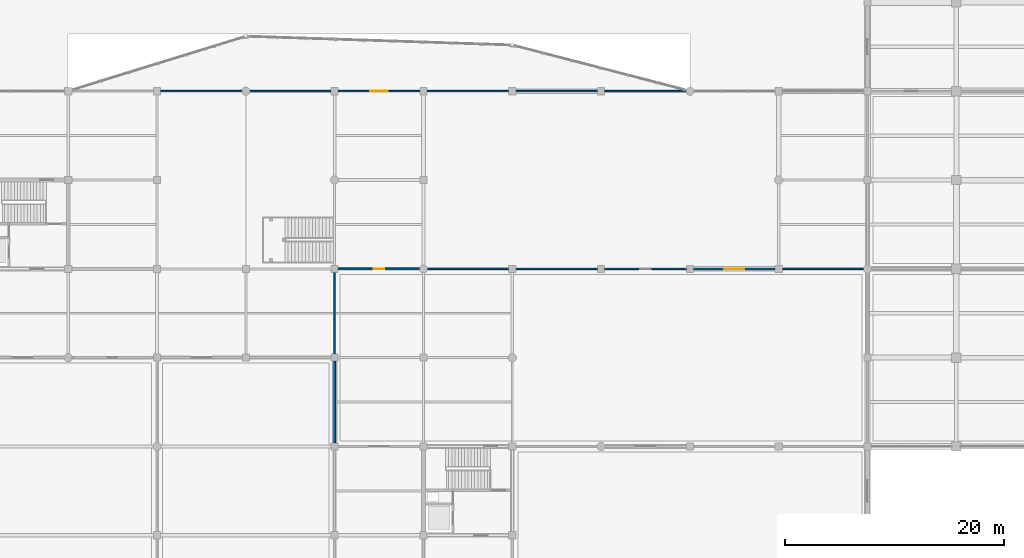
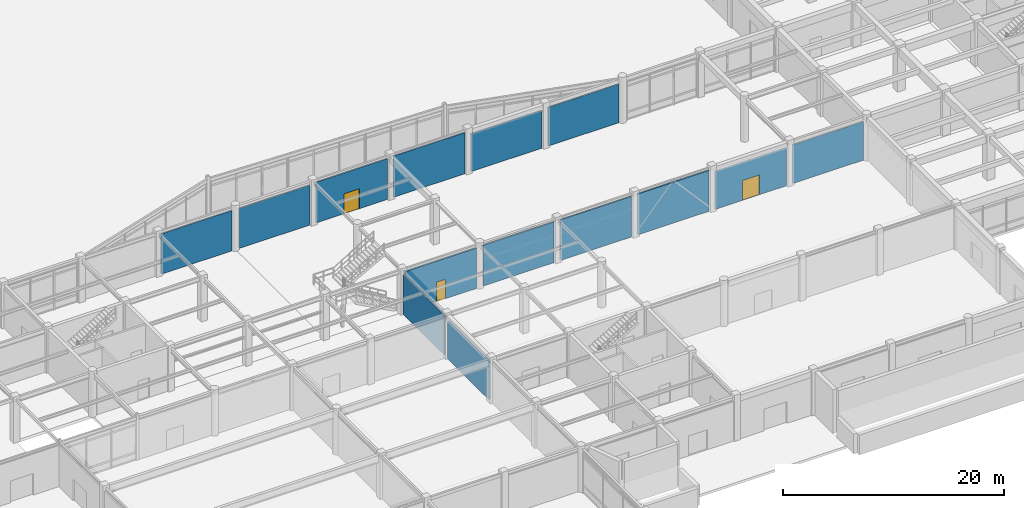
# One storey, part 64 of 99: 14 walls, 3 doors, 3 openings.
"""IFC4 building model written with IfcOpenShell, lengths in metres."""

from ifc_helpers import new_model, si_unit, direction, frame, frame_2d, origin, place, context, subcontext, project, spatial, rectangle, extrude, material, layer, layer_set, type_object, element, fill, save


model = new_model("IFC4")

# Units and contexts
model_context = context("Model", 3, precision=1e-05, world=origin(), true_north=direction((0.0, 1.0)))
body_context = subcontext(model_context, "Body", "Model", "MODEL_VIEW")
ifc_project = project(units=[si_unit("LENGTHUNIT", "METRE"), si_unit("AREAUNIT", "SQUARE_METRE"), si_unit("VOLUMEUNIT", "CUBIC_METRE"), si_unit("PLANEANGLEUNIT", "RADIAN"), si_unit("MASSUNIT", "GRAM", prefix="KILO")], contexts=[model_context])

# Site, building, storey
site_placement = place(None, origin())
site = spatial("IfcSite", under=ifc_project, at=site_placement, CompositionType="ELEMENT")
building_placement = place(site_placement, origin())
building = spatial("IfcBuilding", under=site, at=building_placement, Name="Vaudrelin Polytechnic", CompositionType="ELEMENT")
storey_placement = place(building_placement, origin())
storey = spatial("IfcBuildingStorey", under=building, at=storey_placement, Name="L00", CompositionType="ELEMENT", Elevation=0.0)

# Wall
ifc_material_1 = material(Name="Acoustic double-stud gypsum & mineral-wool partition", Category="gypsum")
ifc_layer_1 = layer(ifc_material_1, 0.179931640625)
ifc_layer_set_1 = layer_set([ifc_layer_1], Name="Acoustic double-stud gypsum & mineral-wool partition")
wall_type_1 = type_object("IfcWallType", Name="WAL-PW-AC180", PredefinedType="PARTITIONING", material=ifc_layer_set_1)
wall_1_placement = place(storey_placement, frame((81.0, 16.52294921875, 0.0), z_axis=(0.0, 0.0, 1.0), x_axis=(0.0, 1.0, 0.0)))
element("IfcWall", 1, at=wall_1_placement, inside=storey, type_object=wall_type_1, Name="Partition L00-009 E", PredefinedType="PARTITIONING", context=body_context, shape_type="SweptSolid", body=[
    extrude(rectangle(XDim=7.4541015625, YDim=0.179931640625, at=frame_2d((3.72705078125, 0.0))), origin(), (0.0, 0.0, 1.0), 4.172119140625),
])

# Wall, opening, door
wall_2_placement = place(storey_placement, frame((81.322998046875, 32.39990234375, 0.0), z_axis=(0.0, 0.0, 1.0), x_axis=(1.0, 0.0, 0.0)))
wall_2 = element("IfcWall", 2, at=wall_2_placement, inside=storey, type_object=wall_type_1, Name="Partition L00-011 N", PredefinedType="PARTITIONING", context=body_context, shape_type="SweptSolid", body=[
    extrude(rectangle(XDim=7.404052734375, YDim=0.179931640625, at=frame_2d((3.7021484375, 0.0))), origin(), (0.0, 0.0, 1.0), 4.464111328125),
])
opening_1_placement = place(wall_2_placement, frame((3.221923828125, 0.0, 0.0)))
opening_1 = element("IfcOpeningElement", 3, at=opening_1_placement, cuts=wall_2, Name="Opening D-L00-427", PredefinedType="OPENING", context=body_context, shape_type="SweptSolid", body=[
    extrude(rectangle(XDim=0.9599609375, YDim=2.14990234375, at=frame_2d((0.47998046875, 1.074951171875))), frame((0.0, 0.10009765625, 0.0), z_axis=(0.0, -1.0, 0.0), x_axis=(1.0, 0.0, 0.0)), (0.0, 0.0, 1.0), 0.199951171875),
])
ifc_material_2 = material(Name="Solid-core birch veneer acoustic leaf", Category="wood")
door_type_1 = type_object("IfcDoorType", Name="DOR-ID-OFF2", OperationType="NOTDEFINED", PredefinedType="DOOR", material=ifc_material_2)
door_1_placement = place(opening_1_placement, origin())
door_1 = element("IfcDoor", 4, at=door_1_placement, inside=storey, type_object=door_type_1, Name="Student Refectory Dining Hall door L00-011", OperationType="SINGLE_SWING_RIGHT", OverallHeight=2.14990234375, OverallWidth=0.9599609375, PredefinedType="DOOR", context=body_context, shape_type="SweptSolid", body=[
    extrude(rectangle(XDim=0.9599609375, YDim=2.14990234375, at=frame_2d((0.47998046875, 1.074951171875))), frame((0.0, 0.02490234375, 0.0), z_axis=(0.0, -1.0, 0.0), x_axis=(1.0, 0.0, 0.0)), (0.0, 0.0, 1.0), 0.050048828125),
])
fill(opening_1, door_1)

wall_3_placement = place(storey_placement, frame((113.722900390625, 32.39990234375, 0.0), z_axis=(0.0, 0.0, 1.0), x_axis=(1.0, 0.0, 0.0)))
wall_3 = element("IfcWall", 5, at=wall_3_placement, inside=storey, type_object=wall_type_1, Name="Partition L00-011 N", PredefinedType="PARTITIONING", context=body_context, shape_type="SweptSolid", body=[
    extrude(rectangle(XDim=7.4541015625, YDim=0.179931640625, at=frame_2d((3.72705078125, 0.0))), origin(), (0.0, 0.0, 1.0), 4.172119140625),
])
opening_2_placement = place(wall_3_placement, frame((2.826904296875, 0.0, 0.0)))
opening_2 = element("IfcOpeningElement", 6, at=opening_2_placement, cuts=wall_3, Name="Opening D-L00-594", PredefinedType="OPENING", context=body_context, shape_type="SweptSolid", body=[
    extrude(rectangle(XDim=1.800048828125, YDim=2.199951171875, at=frame_2d((0.89990234375, 1.10009765625))), frame((0.0, 0.10009765625, 0.0), z_axis=(0.0, -1.0, 0.0), x_axis=(1.0, 0.0, 0.0)), (0.0, 0.0, 1.0), 0.199951171875),
])
ifc_material_3 = material(Name="Pressed galvanised steel acoustic leaf", Category="steel")
door_type_2 = type_object("IfcDoorType", Name="DOR-ID-DBL1", OperationType="NOTDEFINED", PredefinedType="DOOR", material=ifc_material_3)
door_2_placement = place(opening_2_placement, origin())
door_2 = element("IfcDoor", 7, at=door_2_placement, inside=storey, type_object=door_type_2, Name="Dining hall concourse east double door L00", OperationType="DOUBLE_SWING_LEFT", OverallHeight=2.199951171875, OverallWidth=1.800048828125, PredefinedType="DOOR", context=body_context, shape_type="SweptSolid", body=[
    extrude(rectangle(XDim=1.800048828125, YDim=2.199951171875, at=frame_2d((0.89990234375, 1.10009765625))), frame((0.0, 0.02490234375, 0.0), z_axis=(0.0, -1.0, 0.0), x_axis=(1.0, 0.0, 0.0)), (0.0, 0.0, 1.0), 0.050048828125),
])
fill(opening_2, door_2)

# Walls
ifc_material_4 = material(Name="Acoustic steel-stud office & study room partition", Category="steel")
ifc_layer_2 = layer(ifc_material_4, 0.135009765625)
ifc_layer_set_2 = layer_set([ifc_layer_2], Name="Acoustic steel-stud office & study room partition")
wall_type_2 = type_object("IfcWallType", Name="WAL-PW-OFF135", PredefinedType="PARTITIONING", material=ifc_layer_set_2)
wall_4_placement = place(storey_placement, frame((89.472900390625, 32.39990234375, 0.0), z_axis=(0.0, 0.0, 1.0), x_axis=(1.0, 0.0, 0.0)))
element("IfcWall", 8, at=wall_4_placement, inside=storey, type_object=wall_type_2, Name="Partition L00-011 N", PredefinedType="PARTITIONING", context=body_context, shape_type="SweptSolid", body=[
    extrude(rectangle(XDim=7.404052734375, YDim=0.135009765625, at=frame_2d((3.7021484375, 0.0))), origin(), (0.0, 0.0, 1.0), 4.51611328125),
])
wall_5_placement = place(storey_placement, frame((97.52294921875, 32.39990234375, 0.0), z_axis=(0.0, 0.0, 1.0), x_axis=(1.0, 0.0, 0.0)))
element("IfcWall", 9, at=wall_5_placement, inside=storey, type_object=wall_type_2, Name="Partition L00-011 N", PredefinedType="PARTITIONING", context=body_context, shape_type="SweptSolid", body=[
    extrude(rectangle(XDim=7.4541015625, YDim=0.135009765625, at=frame_2d((3.72705078125, 0.0))), origin(), (0.0, 0.0, 1.0), 4.5048828125),
])
wall_6_placement = place(storey_placement, frame((105.623046875, 32.39990234375, 0.0), z_axis=(0.0, 0.0, 1.0), x_axis=(1.0, 0.0, 0.0)))
element("IfcWall", 10, at=wall_6_placement, inside=storey, type_object=wall_type_2, Name="Partition L00-011 N", PredefinedType="PARTITIONING", context=body_context, shape_type="SweptSolid", body=[
    extrude(rectangle(XDim=7.453857421875, YDim=0.135009765625, at=frame_2d((3.72705078125, 0.0))), origin(), (0.0, 0.0, 1.0), 4.555908203125),
])
wall_7_placement = place(storey_placement, frame((121.822998046875, 32.39990234375, 0.0), z_axis=(0.0, 0.0, 1.0), x_axis=(1.0, 0.0, 0.0)))
element("IfcWall", 11, at=wall_7_placement, inside=storey, type_object=wall_type_2, Name="Partition L00-011 N", PredefinedType="PARTITIONING", context=body_context, shape_type="SweptSolid", body=[
    extrude(rectangle(XDim=7.404052734375, YDim=0.135009765625, at=frame_2d((3.7021484375, 0.0))), origin(), (0.0, 0.0, 1.0), 4.27294921875),
])
wall_8_placement = place(storey_placement, frame((81.0, 24.623046875, 0.0), z_axis=(0.0, 0.0, 1.0), x_axis=(0.0, 1.0, 0.0)))
element("IfcWall", 12, at=wall_8_placement, inside=storey, type_object=wall_type_2, Name="Partition L00-011 W", PredefinedType="PARTITIONING", context=body_context, shape_type="SweptSolid", body=[
    extrude(rectangle(XDim=7.453857421875, YDim=0.135009765625, at=frame_2d((3.72705078125, 0.0))), origin(), (0.0, 0.0, 1.0), 4.412109375),
])
wall_9_placement = place(storey_placement, frame((65.123046875, 48.60009765625, 0.0), z_axis=(0.0, 0.0, 1.0), x_axis=(1.0, 0.0, 0.0)))
element("IfcWall", 13, at=wall_9_placement, inside=storey, type_object=wall_type_2, Name="Courtyard exhibition pod partition L00-8", PredefinedType="PARTITIONING", context=body_context, shape_type="SweptSolid", body=[
    extrude(rectangle(XDim=7.404052734375, YDim=0.135009765625, at=frame_2d((3.7021484375, 0.0))), origin(), (0.0, 0.0, 1.0), 4.464111328125),
])
wall_10_placement = place(storey_placement, frame((73.27294921875, 48.60009765625, 0.0), z_axis=(0.0, 0.0, 1.0), x_axis=(1.0, 0.0, 0.0)))
element("IfcWall", 14, at=wall_10_placement, inside=storey, type_object=wall_type_2, Name="Courtyard exhibition pod partition L00-9", PredefinedType="PARTITIONING", context=body_context, shape_type="SweptSolid", body=[
    extrude(rectangle(XDim=7.404052734375, YDim=0.135009765625, at=frame_2d((3.7021484375, 0.0))), origin(), (0.0, 0.0, 1.0), 4.406982421875),
])

# Wall, opening, door
wall_11_placement = place(storey_placement, frame((81.322998046875, 48.60009765625, 0.0), z_axis=(0.0, 0.0, 1.0), x_axis=(1.0, 0.0, 0.0)))
wall_11 = element("IfcWall", 15, at=wall_11_placement, inside=storey, type_object=wall_type_2, Name="Courtyard exhibition pod partition L00-10", PredefinedType="PARTITIONING", context=body_context, shape_type="SweptSolid", body=[
    extrude(rectangle(XDim=7.4541015625, YDim=0.135009765625, at=frame_2d((3.72705078125, 0.0))), origin(), (0.0, 0.0, 1.0), 4.5048828125),
])
opening_3_placement = place(wall_11_placement, frame((2.927001953125, 0.0, 0.0)))
opening_3 = element("IfcOpeningElement", 16, at=opening_3_placement, cuts=wall_11, Name="Opening D-L00-600", PredefinedType="OPENING", context=body_context, shape_type="SweptSolid", body=[
    extrude(rectangle(XDim=1.60009765625, YDim=2.199951171875, at=frame_2d((0.800048828125, 1.10009765625))), frame((0.0, 0.07763671875, 0.0), z_axis=(0.0, -1.0, 0.0), x_axis=(1.0, 0.0, 0.0)), (0.0, 0.0, 1.0), 0.155029296875),
])
door_type_3 = type_object("IfcDoorType", Name="DOR-ID-GLZ1", OperationType="NOTDEFINED", PredefinedType="DOOR", material=ifc_material_2)
door_3_placement = place(opening_3_placement, origin())
door_3 = element("IfcDoor", 17, at=door_3_placement, inside=storey, type_object=door_type_3, Name="Courtyard winter-garden pod door L00", OperationType="DOUBLE_SWING_LEFT", OverallHeight=2.199951171875, OverallWidth=1.60009765625, PredefinedType="DOOR", context=body_context, shape_type="SweptSolid", body=[
    extrude(rectangle(XDim=1.60009765625, YDim=2.199951171875, at=frame_2d((0.800048828125, 1.10009765625))), frame((0.0, 0.02490234375, 0.0), z_axis=(0.0, -1.0, 0.0), x_axis=(1.0, 0.0, 0.0)), (0.0, 0.0, 1.0), 0.050048828125),
])
fill(opening_3, door_3)

# Walls
wall_12_placement = place(storey_placement, frame((89.423095703125, 48.60009765625, 0.0), z_axis=(0.0, 0.0, 1.0), x_axis=(1.0, 0.0, 0.0)))
element("IfcWall", 18, at=wall_12_placement, inside=storey, type_object=wall_type_2, Name="Courtyard exhibition pod partition L00-11", PredefinedType="PARTITIONING", context=body_context, shape_type="SweptSolid", body=[
    extrude(rectangle(XDim=7.453857421875, YDim=0.135009765625, at=frame_2d((3.72705078125, 0.0))), origin(), (0.0, 0.0, 1.0), 4.555908203125),
])
wall_13_placement = place(storey_placement, frame((97.52294921875, 48.60009765625, 0.0), z_axis=(0.0, 0.0, 1.0), x_axis=(1.0, 0.0, 0.0)))
element("IfcWall", 19, at=wall_13_placement, inside=storey, type_object=wall_type_2, Name="Courtyard exhibition pod partition L00-12", PredefinedType="PARTITIONING", context=body_context, shape_type="SweptSolid", body=[
    extrude(rectangle(XDim=7.4541015625, YDim=0.135009765625, at=frame_2d((3.72705078125, 0.0))), origin(), (0.0, 0.0, 1.0), 4.172119140625),
])
wall_14_placement = place(storey_placement, frame((105.623046875, 48.60009765625, 0.0), z_axis=(0.0, 0.0, 1.0), x_axis=(1.0, 0.0, 0.0)))
element("IfcWall", 20, at=wall_14_placement, inside=storey, type_object=wall_type_2, Name="Courtyard exhibition pod partition L00-13", PredefinedType="PARTITIONING", context=body_context, shape_type="SweptSolid", body=[
    extrude(rectangle(XDim=7.404052734375, YDim=0.135009765625, at=frame_2d((3.7021484375, 0.0))), origin(), (0.0, 0.0, 1.0), 4.27294921875),
])

save(model, "model.ifc")
